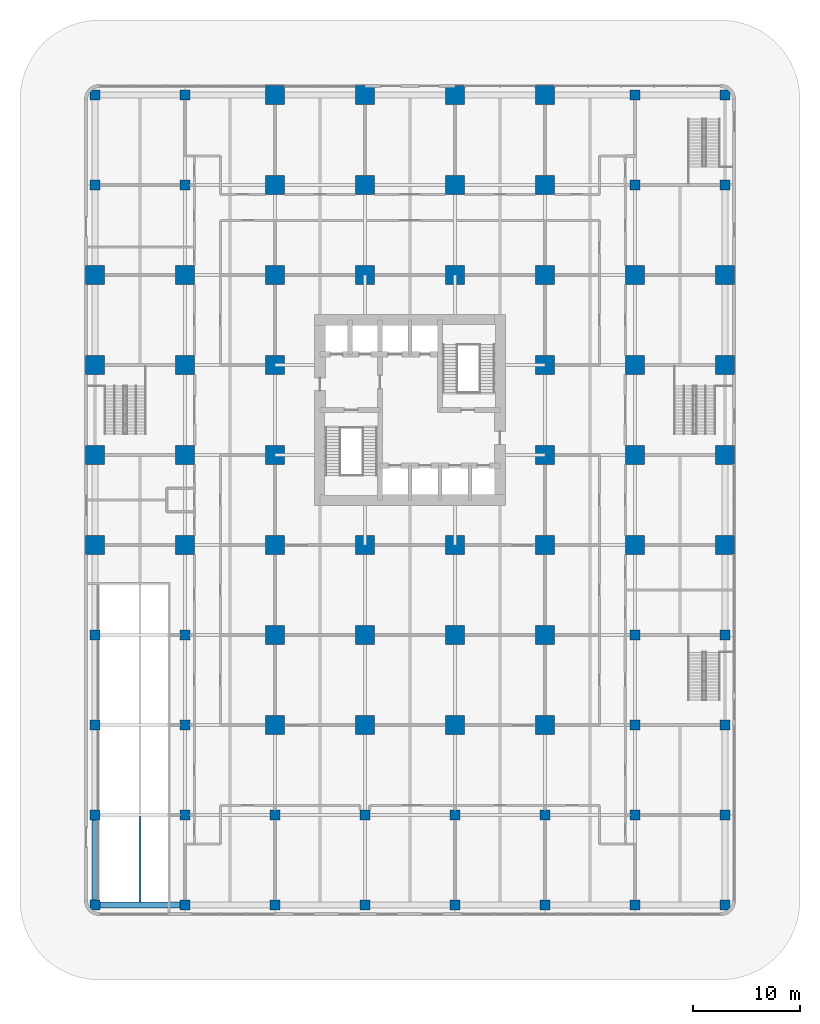
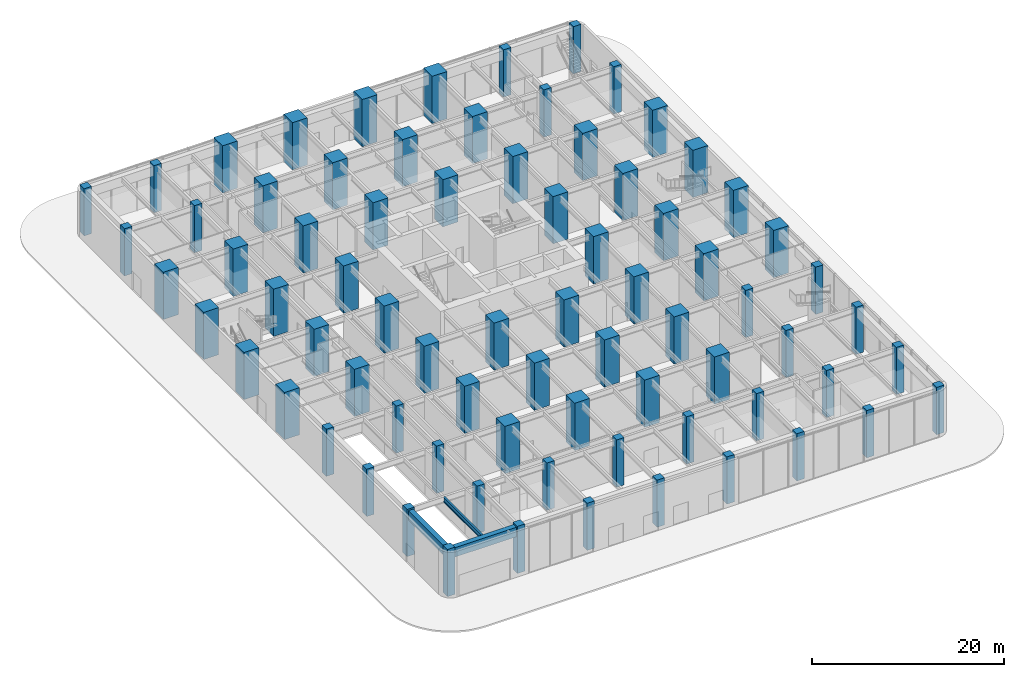
# One storey, part 1 of 21: 76 columns, 3 beams.
"""IFC4 building model written with IfcOpenShell, lengths in metres."""

from ifc_helpers import new_model, si_unit, direction, frame, origin, origin_2d, place, context, subcontext, project, spatial, rectangle, i_section, extrude, material, material_profile, profile_set, type_object, element, save


model = new_model("IFC4")

# Units and contexts
model_context = context("Model", 3, precision=1e-05, world=origin(), true_north=direction((0.0, 1.0)))
body_context = subcontext(model_context, "Body", "Model", "MODEL_VIEW")
ifc_project = project(units=[si_unit("LENGTHUNIT", "METRE"), si_unit("AREAUNIT", "SQUARE_METRE"), si_unit("VOLUMEUNIT", "CUBIC_METRE"), si_unit("PLANEANGLEUNIT", "RADIAN"), si_unit("MASSUNIT", "GRAM", prefix="KILO")], contexts=[model_context])

# Site, building, storey
site_placement = place(None, origin())
site = spatial("IfcSite", under=ifc_project, at=site_placement, CompositionType="ELEMENT")
building_placement = place(site_placement, origin())
building = spatial("IfcBuilding", under=site, at=building_placement, Name="Torre Alcanfor", CompositionType="ELEMENT")
storey_placement = place(building_placement, origin())
storey = spatial("IfcBuildingStorey", under=building, at=storey_placement, Name="L00", CompositionType="ELEMENT", Elevation=0.0)

# Columns
ifc_material_1 = material(Name="Concrete f'c 70 MPa", Category="concrete")
ifc_material_profile_1 = material_profile(ifc_material_1, rectangle(XDim=1.800048828125, YDim=1.800048828125, at=origin_2d()), Name="1800x1800")
ifc_profile_set_1 = profile_set([ifc_material_profile_1], Name="Concrete f'c 70 MPa")
column_type_1 = type_object("IfcColumnType", Name="RC column 1800x1800 f'c70", PredefinedType="COLUMN", material=ifc_profile_set_1)
for number, where, z_axis, x_axis, name in (
    (1, (0.0, 16.800048828125, 0.0), (0.0, 0.0, 1.0), (1.0, 0.0, 0.0), "Column 1/E L00"),
    (2, (0.0, 25.199951171875, 0.0), (0.0, 0.0, 1.0), (1.0, 0.0, 0.0), "Column 1/F L00"),
    (3, (0.0, 33.60009765625, 0.0), (0.0, 0.0, 1.0), (1.0, 0.0, 0.0), "Column 1/G L00"),
    (4, (0.0, 42.0, 0.0), (0.0, 0.0, 1.0), (1.0, 0.0, 0.0), "Column 1/H L00"),
    (5, (8.39990234375, 16.800048828125, 0.0), (0.0, 0.0, 1.0), (1.0, 0.0, 0.0), "Column 2/E L00"),
    (6, (8.39990234375, 25.199951171875, 0.0), (0.0, 0.0, 1.0), (1.0, 0.0, 0.0), "Column 2/F L00"),
    (7, (8.39990234375, 33.60009765625, 0.0), (0.0, 0.0, 1.0), (1.0, 0.0, 0.0), "Column 2/G L00"),
    (8, (8.39990234375, 42.0, 0.0), (0.0, 0.0, 1.0), (1.0, 0.0, 0.0), "Column 2/H L00"),
    (9, (16.800048828125, 0.0, 0.0), (0.0, 0.0, 1.0), (1.0, 0.0, 0.0), "Column 3/C L00"),
    (10, (16.800048828125, 8.39990234375, 0.0), (0.0, 0.0, 1.0), (1.0, 0.0, 0.0), "Column 3/D L00"),
    (11, (16.800048828125, 16.800048828125, 0.0), (0.0, 0.0, 1.0), (1.0, 0.0, 0.0), "Column 3/E L00"),
    (12, (16.800048828125, 25.199951171875, 0.0), (0.0, 0.0, 1.0), (1.0, 0.0, 0.0), "Column 3/F L00"),
    (13, (16.800048828125, 33.60009765625, 0.0), (0.0, 0.0, 1.0), (1.0, 0.0, 0.0), "Column 3/G L00"),
    (14, (16.800048828125, 42.0, 0.0), (0.0, 0.0, 1.0), (1.0, 0.0, 0.0), "Column 3/H L00"),
    (15, (16.800048828125, 50.39990234375, 0.0), (0.0, 0.0, 1.0), (1.0, 0.0, 0.0), "Column 3/J L00"),
    (16, (16.800048828125, 58.800048828125, 0.0), (0.0, 0.0, 1.0), (1.0, 0.0, 0.0), "Column 3/K L00"),
    (17, (25.199951171875, 0.0, 0.0), (0.0, 0.0, 1.0), (1.0, 0.0, 0.0), "Column 4/C L00"),
    (18, (25.199951171875, 8.39990234375, 0.0), (0.0, 0.0, 1.0), (1.0, 0.0, 0.0), "Column 4/D L00"),
    (19, (25.199951171875, 16.800048828125, 0.0), (0.0, 0.0, 1.0), (1.0, 0.0, 0.0), "Column 4/E L00"),
    (20, (25.199951171875, 42.0, 0.0), (0.0, 0.0, 1.0), (1.0, 0.0, 0.0), "Column 4/H L00"),
    (21, (25.199951171875, 50.39990234375, 0.0), (0.0, 0.0, 1.0), (1.0, 0.0, 0.0), "Column 4/J L00"),
    (22, (25.199951171875, 58.800048828125, 0.0), (0.0, 0.0, 1.0), (1.0, 0.0, 0.0), "Column 4/K L00"),
    (23, (33.60009765625, 0.0, 0.0), (0.0, 0.0, 1.0), (1.0, 0.0, 0.0), "Column 5/C L00"),
    (24, (33.60009765625, 8.39990234375, 0.0), (0.0, 0.0, 1.0), (1.0, 0.0, 0.0), "Column 5/D L00"),
    (25, (33.60009765625, 16.800048828125, 0.0), (0.0, 0.0, 1.0), (1.0, 0.0, 0.0), "Column 5/E L00"),
    (26, (33.60009765625, 42.0, 0.0), (0.0, 0.0, 1.0), (1.0, 0.0, 0.0), "Column 5/H L00"),
    (27, (33.60009765625, 50.39990234375, 0.0), (0.0, 0.0, 1.0), (1.0, 0.0, 0.0), "Column 5/J L00"),
    (28, (33.60009765625, 58.800048828125, 0.0), (0.0, 0.0, 1.0), (1.0, 0.0, 0.0), "Column 5/K L00"),
    (29, (42.0, 0.0, 0.0), (0.0, 0.0, 1.0), (1.0, 0.0, 0.0), "Column 6/C L00"),
    (30, (42.0, 8.39990234375, 0.0), (0.0, 0.0, 1.0), (1.0, 0.0, 0.0), "Column 6/D L00"),
    (31, (42.0, 16.800048828125, 0.0), (0.0, 0.0, 1.0), (1.0, 0.0, 0.0), "Column 6/E L00"),
    (32, (42.0, 25.199951171875, 0.0), (0.0, 0.0, 1.0), (1.0, 0.0, 0.0), "Column 6/F L00"),
    (33, (42.0, 33.60009765625, 0.0), (0.0, 0.0, 1.0), (1.0, 0.0, 0.0), "Column 6/G L00"),
    (34, (42.0, 42.0, 0.0), (0.0, 0.0, 1.0), (1.0, 0.0, 0.0), "Column 6/H L00"),
    (35, (42.0, 50.39990234375, 0.0), (0.0, 0.0, 1.0), (1.0, 0.0, 0.0), "Column 6/J L00"),
    (36, (42.0, 58.800048828125, 0.0), (0.0, 0.0, 1.0), (1.0, 0.0, 0.0), "Column 6/K L00"),
    (37, (50.39990234375, 16.800048828125, 0.0), (0.0, 0.0, 1.0), (1.0, 0.0, 0.0), "Column 7/E L00"),
    (38, (50.39990234375, 25.199951171875, 0.0), (0.0, 0.0, 1.0), (1.0, 0.0, 0.0), "Column 7/F L00"),
    (39, (50.39990234375, 33.60009765625, 0.0), (0.0, 0.0, 1.0), (1.0, 0.0, 0.0), "Column 7/G L00"),
    (40, (50.39990234375, 42.0, 0.0), (0.0, 0.0, 1.0), (1.0, 0.0, 0.0), "Column 7/H L00"),
    (41, (58.800048828125, 16.800048828125, 0.0), (0.0, 0.0, 1.0), (1.0, 0.0, 0.0), "Column 8/E L00"),
    (42, (58.800048828125, 25.199951171875, 0.0), (0.0, 0.0, 1.0), (1.0, 0.0, 0.0), "Column 8/F L00"),
    (43, (58.800048828125, 33.60009765625, 0.0), (0.0, 0.0, 1.0), (1.0, 0.0, 0.0), "Column 8/G L00"),
    (44, (58.800048828125, 42.0, 0.0), (0.0, 0.0, 1.0), (1.0, 0.0, 0.0), "Column 8/H L00"),
):
    element("IfcColumn", number, at=place(storey_placement, frame(where, z_axis=z_axis, x_axis=x_axis)), inside=storey, type_object=column_type_1, Name=name, PredefinedType="COLUMN", context=body_context, shape_type="SweptSolid", body=[
        extrude(rectangle(XDim=1.800048828125, YDim=1.800048828125, at=origin_2d()), origin(), (0.0, 0.0, 1.0), 6.0),
    ])
ifc_material_2 = material(Name="Concrete f'c 70 MPa", Category="concrete")
ifc_material_profile_2 = material_profile(ifc_material_2, rectangle(XDim=0.89990234375, YDim=0.89990234375, at=origin_2d()), Name="900x900")
ifc_profile_set_2 = profile_set([ifc_material_profile_2], Name="Concrete f'c 70 MPa")
column_type_2 = type_object("IfcColumnType", Name="RC column 900x900 f'c70", PredefinedType="COLUMN", material=ifc_profile_set_2)
for number, where, z_axis, x_axis, name in (
    (45, (0.0, -16.800048828125, 0.0), (0.0, 0.0, 1.0), (1.0, 0.0, 0.0), "Column 1/A L00"),
    (46, (0.0, -8.39990234375, 0.0), (0.0, 0.0, 1.0), (1.0, 0.0, 0.0), "Column 1/B L00"),
    (47, (0.0, 0.0, 0.0), (0.0, 0.0, 1.0), (1.0, 0.0, 0.0), "Column 1/C L00"),
    (48, (0.0, 8.39990234375, 0.0), (0.0, 0.0, 1.0), (1.0, 0.0, 0.0), "Column 1/D L00"),
    (49, (0.0, 50.39990234375, 0.0), (0.0, 0.0, 1.0), (1.0, 0.0, 0.0), "Column 1/J L00"),
    (50, (0.0, 58.800048828125, 0.0), (0.0, 0.0, 1.0), (1.0, 0.0, 0.0), "Column 1/K L00"),
    (51, (8.39990234375, -16.800048828125, 0.0), (0.0, 0.0, 1.0), (1.0, 0.0, 0.0), "Column 2/A L00"),
    (52, (8.39990234375, -8.39990234375, 0.0), (0.0, 0.0, 1.0), (1.0, 0.0, 0.0), "Column 2/B L00"),
    (53, (8.39990234375, 0.0, 0.0), (0.0, 0.0, 1.0), (1.0, 0.0, 0.0), "Column 2/C L00"),
    (54, (8.39990234375, 8.39990234375, 0.0), (0.0, 0.0, 1.0), (1.0, 0.0, 0.0), "Column 2/D L00"),
    (55, (8.39990234375, 50.39990234375, 0.0), (0.0, 0.0, 1.0), (1.0, 0.0, 0.0), "Column 2/J L00"),
    (56, (8.39990234375, 58.800048828125, 0.0), (0.0, 0.0, 1.0), (1.0, 0.0, 0.0), "Column 2/K L00"),
    (57, (16.800048828125, -16.800048828125, 0.0), (0.0, 0.0, 1.0), (1.0, 0.0, 0.0), "Column 3/A L00"),
    (58, (16.800048828125, -8.39990234375, 0.0), (0.0, 0.0, 1.0), (1.0, 0.0, 0.0), "Column 3/B L00"),
    (59, (25.199951171875, -16.800048828125, 0.0), (0.0, 0.0, 1.0), (1.0, 0.0, 0.0), "Column 4/A L00"),
    (60, (25.199951171875, -8.39990234375, 0.0), (0.0, 0.0, 1.0), (1.0, 0.0, 0.0), "Column 4/B L00"),
    (61, (33.60009765625, -16.800048828125, 0.0), (0.0, 0.0, 1.0), (1.0, 0.0, 0.0), "Column 5/A L00"),
    (62, (33.60009765625, -8.39990234375, 0.0), (0.0, 0.0, 1.0), (1.0, 0.0, 0.0), "Column 5/B L00"),
    (63, (42.0, -16.800048828125, 0.0), (0.0, 0.0, 1.0), (1.0, 0.0, 0.0), "Column 6/A L00"),
    (64, (42.0, -8.39990234375, 0.0), (0.0, 0.0, 1.0), (1.0, 0.0, 0.0), "Column 6/B L00"),
    (65, (50.39990234375, -16.800048828125, 0.0), (0.0, 0.0, 1.0), (1.0, 0.0, 0.0), "Column 7/A L00"),
    (66, (50.39990234375, -8.39990234375, 0.0), (0.0, 0.0, 1.0), (1.0, 0.0, 0.0), "Column 7/B L00"),
    (67, (50.39990234375, 0.0, 0.0), (0.0, 0.0, 1.0), (1.0, 0.0, 0.0), "Column 7/C L00"),
    (68, (50.39990234375, 8.39990234375, 0.0), (0.0, 0.0, 1.0), (1.0, 0.0, 0.0), "Column 7/D L00"),
    (69, (50.39990234375, 50.39990234375, 0.0), (0.0, 0.0, 1.0), (1.0, 0.0, 0.0), "Column 7/J L00"),
    (70, (50.39990234375, 58.800048828125, 0.0), (0.0, 0.0, 1.0), (1.0, 0.0, 0.0), "Column 7/K L00"),
    (71, (58.800048828125, -16.800048828125, 0.0), (0.0, 0.0, 1.0), (1.0, 0.0, 0.0), "Column 8/A L00"),
    (72, (58.800048828125, -8.39990234375, 0.0), (0.0, 0.0, 1.0), (1.0, 0.0, 0.0), "Column 8/B L00"),
    (73, (58.800048828125, 0.0, 0.0), (0.0, 0.0, 1.0), (1.0, 0.0, 0.0), "Column 8/C L00"),
    (74, (58.800048828125, 8.39990234375, 0.0), (0.0, 0.0, 1.0), (1.0, 0.0, 0.0), "Column 8/D L00"),
    (75, (58.800048828125, 50.39990234375, 0.0), (0.0, 0.0, 1.0), (1.0, 0.0, 0.0), "Column 8/J L00"),
    (76, (58.800048828125, 58.800048828125, 0.0), (0.0, 0.0, 1.0), (1.0, 0.0, 0.0), "Column 8/K L00"),
):
    element("IfcColumn", number, at=place(storey_placement, frame(where, z_axis=z_axis, x_axis=x_axis)), inside=storey, type_object=column_type_2, Name=name, PredefinedType="COLUMN", context=body_context, shape_type="SweptSolid", body=[
        extrude(rectangle(XDim=0.89990234375, YDim=0.89990234375, at=origin_2d()), origin(), (0.0, 0.0, 1.0), 6.0),
    ])

# Beams
ifc_material_3 = material(Name="Concrete f'c 70 MPa", Category="concrete")
ifc_material_profile_3 = material_profile(ifc_material_3, rectangle(XDim=0.60009765625, YDim=1.199951171875, at=origin_2d()), Name="600x1200")
ifc_profile_set_3 = profile_set([ifc_material_profile_3], Name="Concrete f'c 70 MPa")
beam_type_1 = type_object("IfcBeamType", Name="RC perimeter beam 600x1200", PredefinedType="BEAM", material=ifc_profile_set_3)
beam_1_placement = place(storey_placement, frame((0.0, -16.800048828125, 5.199951171875), z_axis=(1.0, 0.0, 0.0), x_axis=(0.0, 1.0, 0.0)))
element("IfcBeam", 77, at=beam_1_placement, inside=storey, type_object=beam_type_1, Name="Beam 1A-2A under L01", PredefinedType="BEAM", context=body_context, shape_type="SweptSolid", body=[
    extrude(rectangle(XDim=0.60009765625, YDim=1.199951171875, at=origin_2d()), origin(), (0.0, 0.0, 1.0), 8.39990234375),
])
beam_2_placement = place(storey_placement, frame((0.0, -16.800048828125, 5.199951171875), z_axis=(0.0, 1.0, 0.0), x_axis=(-1.0, 0.0, 0.0)))
element("IfcBeam", 78, at=beam_2_placement, inside=storey, type_object=beam_type_1, Name="Beam 1A-1B under L01", PredefinedType="BEAM", context=body_context, shape_type="SweptSolid", body=[
    extrude(rectangle(XDim=0.60009765625, YDim=1.199951171875, at=origin_2d()), origin(), (0.0, 0.0, 1.0), 8.400146484375),
])
ifc_material_4 = material(Name="Steel ASTM A992 Grade 50", Category="steel")
ifc_material_profile_4 = material_profile(ifc_material_4, i_section(OverallWidth=0.22900390625, OverallDepth=0.612060546875, WebThickness=0.011962890625, FlangeThickness=0.01953125, at=origin_2d()), Name="W24x84")
ifc_profile_set_4 = profile_set([ifc_material_profile_4], Name="Steel ASTM A992 Grade 50")
beam_type_2 = type_object("IfcBeamType", Name="Secondary beam W24x84", PredefinedType="BEAM", material=ifc_profile_set_4)
beam_3_placement = place(storey_placement, frame((4.199951171875, -16.5, 5.493896484375), z_axis=(0.0, 1.0, 0.0), x_axis=(-1.0, 0.0, 0.0)))
element("IfcBeam", 79, at=beam_3_placement, inside=storey, type_object=beam_type_2, Name="Beam 4_2A-4_2B under L01", PredefinedType="BEAM", context=body_context, shape_type="SweptSolid", body=[
    extrude(i_section(OverallWidth=0.22900390625, OverallDepth=0.612060546875, WebThickness=0.011962890625, FlangeThickness=0.01953125, at=origin_2d()), origin(), (0.0, 0.0, 1.0), 7.967041015625),
])

save(model, "model.ifc")
